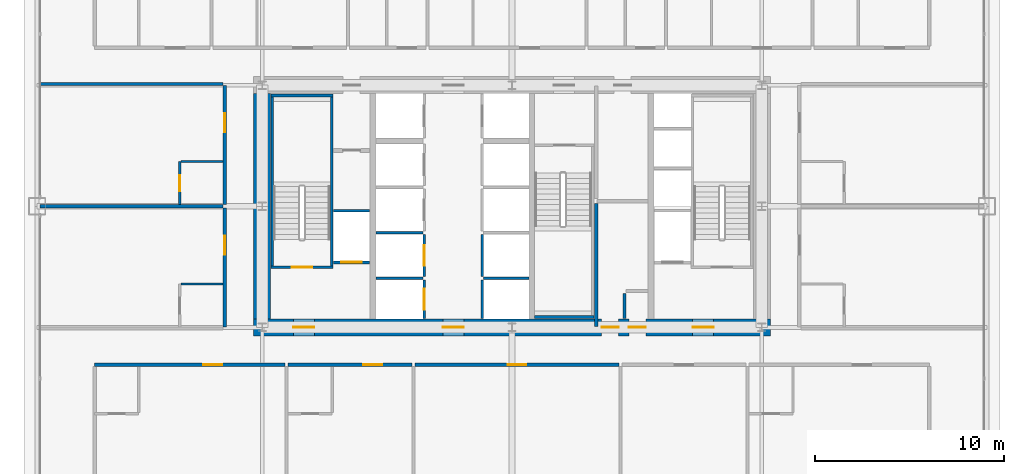
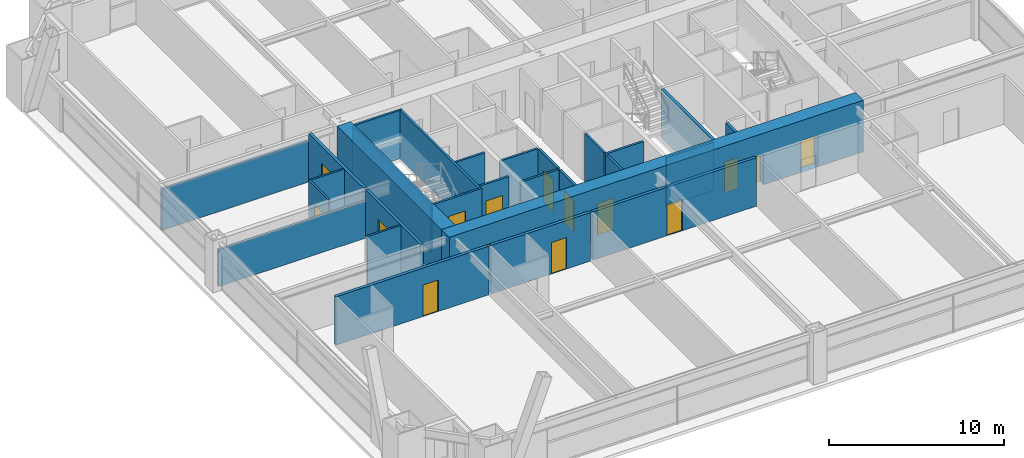
# One storey, part 39 of 43: 28 walls, 15 doors, 15 openings.
"""IFC4 building model written with IfcOpenShell, lengths in metres."""

from ifc_helpers import new_model, si_unit, direction, frame, frame_2d, origin, place, context, subcontext, project, spatial, rectangle, extrude, source, transform, mapped, material, layer, layer_set, type_object, element, fill, save


model = new_model("IFC4")

# Units and contexts
model_context = context("Model", 3, precision=1e-05, world=origin(), true_north=direction((0.0, 1.0)))
body_context = subcontext(model_context, "Body", "Model", "MODEL_VIEW")
ifc_project = project(units=[si_unit("LENGTHUNIT", "METRE"), si_unit("AREAUNIT", "SQUARE_METRE"), si_unit("VOLUMEUNIT", "CUBIC_METRE"), si_unit("PLANEANGLEUNIT", "RADIAN"), si_unit("MASSUNIT", "GRAM", prefix="KILO"), si_unit("THERMODYNAMICTEMPERATUREUNIT", "KELVIN"), si_unit("POWERUNIT", "WATT")], contexts=[model_context])

# Site, building, storey
site_placement = place(None, origin())
site = spatial("IfcSite", under=ifc_project, at=site_placement, CompositionType="ELEMENT")
building_placement = place(site_placement, origin())
building = spatial("IfcBuilding", under=site, at=building_placement, Name="Yuzanri Waterfront Tower", CompositionType="ELEMENT")
storey_placement = place(building_placement, frame((0.0, 0.0, 53.199951171875)))
storey = spatial("IfcBuildingStorey", under=building, at=storey_placement, Name="L13", CompositionType="ELEMENT", Elevation=53.199951171875)

# Wall, opening, door
ifc_material_1 = material(Name="Moisture-Resistant Gypsum Stud Wall", Category="gypsum")
ifc_layer_1 = layer(ifc_material_1, 0.1201171875)
ifc_layer_set_1 = layer_set([ifc_layer_1], Name="Moisture-Resistant Gypsum Stud Wall")
wall_type_1 = type_object("IfcWallType", Name="Bathroom and Kitchen Wet Partition 120", PredefinedType="PARTITIONING", material=ifc_layer_set_1)
wall_1_placement = place(storey_placement, frame((19.43994140625, 25.8798828125, 0.0), z_axis=(0.0, 0.0, 1.0), x_axis=(0.0, 1.0, 0.0)))
wall_1 = element("IfcWall", 1, at=wall_1_placement, inside=storey, type_object=wall_type_1, Name="L13 Partition UW-L13-W2-BW", PredefinedType="PARTITIONING", context=body_context, shape_type="SweptSolid", body=[
    extrude(rectangle(XDim=2.280029296875, YDim=0.1201171875, at=frame_2d((1.14013671875, 0.0))), origin(), (0.0, 0.0, 1.0), 3.380126953125),
])
opening_1_placement = place(wall_1_placement, frame((0.715087890625, 0.0, 0.0)))
opening_1 = element("IfcOpeningElement", 2, at=opening_1_placement, cuts=wall_1, Name="Opening ID-0850", PredefinedType="OPENING", context=body_context, shape_type="SweptSolid", body=[
    extrude(rectangle(XDim=0.85009765625, YDim=2.10009765625, at=frame_2d((0.425048828125, 1.050048828125))), frame((0.0, 0.074951171875, 0.0), z_axis=(0.0, -1.0, 0.0), x_axis=(1.0, 0.0, 0.0)), (0.0, 0.0, 1.0), 0.14990234375),
])
ifc_material_2 = material(Name="Moisture-Resistant Lacquered Timber", Category="wood")
door_type_1 = type_object("IfcDoorType", Name="En-Suite Bathroom and Kitchen Swing Door 850x2100", OperationType="NOTDEFINED", PredefinedType="DOOR", material=ifc_material_2)
shared_shape_1 = source(origin(), body_context, "Body", "SweptSolid", [
    extrude(rectangle(XDim=0.85009765625, YDim=2.10009765625, at=frame_2d((0.425048828125, 1.050048828125))), frame((0.0, 0.02490234375, 0.0), z_axis=(0.0, -1.0, 0.0), x_axis=(1.0, 0.0, 0.0)), (0.0, 0.0, 1.0), 0.050048828125),
])
door_1_placement = place(opening_1_placement, origin())
door_1 = element("IfcDoor", 3, at=door_1_placement, inside=storey, type_object=door_type_1, Name="L13 Guest En-Suite Door", OperationType="SINGLE_SWING_LEFT", OverallHeight=2.10009765625, OverallWidth=0.85009765625, PredefinedType="DOOR", context=body_context, shape_type="MappedRepresentation", body=[
    mapped(shared_shape_1, transform((0.0, 0.0, 0.0), scale=1.0)),
])
fill(opening_1, door_1)

# Wall, openings, doors
ifc_material_3 = material(Name="Concrete C60", Category="concrete")
ifc_layer_2 = layer(ifc_material_3, 0.89990234375)
ifc_layer_set_2 = layer_set([ifc_layer_2], Name="Concrete C60")
wall_type_2 = type_object("IfcWallType", Name="Concrete C60 Lower Zone Core Shear Wall 900", PredefinedType="SHEAR", material=ifc_layer_set_2)
wall_2_placement = place(storey_placement, frame((23.35009765625, 19.39990234375, 0.0), z_axis=(0.0, 0.0, 1.0), x_axis=(1.0, 0.0, 0.0)))
wall_2 = element("IfcWall", 4, at=wall_2_placement, inside=storey, type_object=wall_type_2, Name="L13 Core South Shear Wall", PredefinedType="SHEAR", context=body_context, shape_type="SweptSolid", body=[
    extrude(rectangle(XDim=27.2998046875, YDim=0.89990234375, at=frame_2d((13.64990234375, 0.0))), origin(), (0.0, 0.0, 1.0), 3.60009765625),
])
opening_2_placement = place(wall_2_placement, frame((2.10009765625, 0.0, 0.0)))
opening_2 = element("IfcOpeningElement", 5, at=opening_2_placement, cuts=wall_2, Name="Opening FD-1100", PredefinedType="OPENING", context=body_context, shape_type="SweptSolid", body=[
    extrude(rectangle(XDim=1.10009765625, YDim=2.199951171875, at=frame_2d((0.550048828125, 1.10009765625))), frame((0.0, 0.46484375, 0.0), z_axis=(0.0, -1.0, 0.0), x_axis=(1.0, 0.0, 0.0)), (0.0, 0.0, 1.0), 0.9296875),
])
opening_3_placement = place(wall_2_placement, frame((10.0, 0.0, 0.0)))
opening_3 = element("IfcOpeningElement", 6, at=opening_3_placement, cuts=wall_2, Name="Opening FD-1100", PredefinedType="OPENING", context=body_context, shape_type="SweptSolid", body=[
    extrude(rectangle(XDim=1.10009765625, YDim=2.199951171875, at=frame_2d((0.550048828125, 1.10009765625))), frame((0.0, 0.46484375, 0.0), z_axis=(0.0, -1.0, 0.0), x_axis=(1.0, 0.0, 0.0)), (0.0, 0.0, 1.0), 0.9296875),
])
opening_4_placement = place(wall_2_placement, frame((23.199951171875, 0.0, 0.0)))
opening_4 = element("IfcOpeningElement", 7, at=opening_4_placement, cuts=wall_2, Name="Opening FD-1100", PredefinedType="OPENING", context=body_context, shape_type="SweptSolid", body=[
    extrude(rectangle(XDim=1.10009765625, YDim=2.199951171875, at=frame_2d((0.550048828125, 1.10009765625))), frame((0.0, 0.46484375, 0.0), z_axis=(0.0, -1.0, 0.0), x_axis=(1.0, 0.0, 0.0)), (0.0, 0.0, 1.0), 0.9296875),
])
opening_5_placement = place(wall_2_placement, frame((19.820068359375, 0.0, 0.0)))
opening_5 = element("IfcOpeningElement", 8, at=opening_5_placement, cuts=wall_2, Name="Opening FD-0900", PredefinedType="OPENING", context=body_context, shape_type="SweptSolid", body=[
    extrude(rectangle(XDim=0.89990234375, YDim=2.14990234375, at=frame_2d((0.449951171875, 1.074951171875))), frame((0.0, 0.46484375, 0.0), z_axis=(0.0, -1.0, 0.0), x_axis=(1.0, 0.0, 0.0)), (0.0, 0.0, 1.0), 0.9296875),
])
opening_6_placement = place(wall_2_placement, frame((18.3798828125, 0.0, 0.0)))
opening_6 = element("IfcOpeningElement", 9, at=opening_6_placement, cuts=wall_2, Name="Opening FD-0900", PredefinedType="OPENING", context=body_context, shape_type="SweptSolid", body=[
    extrude(rectangle(XDim=0.89990234375, YDim=2.14990234375, at=frame_2d((0.449951171875, 1.074951171875))), frame((0.0, 0.46484375, 0.0), z_axis=(0.0, -1.0, 0.0), x_axis=(1.0, 0.0, 0.0)), (0.0, 0.0, 1.0), 0.9296875),
])
ifc_material_4 = material(Name="Painted Galvanized Fire Steel", Category="steel")
door_type_2 = type_object("IfcDoorType", Name="Smoke-Proof Stair and Lobby Fire Door 1100x2200", OperationType="NOTDEFINED", PredefinedType="DOOR", material=ifc_material_4)
shared_shape_2 = source(origin(), body_context, "Body", "SweptSolid", [
    extrude(rectangle(XDim=1.10009765625, YDim=2.199951171875, at=frame_2d((0.550048828125, 1.10009765625))), frame((0.0, 0.02490234375, 0.0), z_axis=(0.0, -1.0, 0.0), x_axis=(1.0, 0.0, 0.0)), (0.0, 0.0, 1.0), 0.050048828125),
])
door_2_placement = place(opening_2_placement, origin())
door_2 = element("IfcDoor", 10, at=door_2_placement, inside=storey, type_object=door_type_2, Name="L13 West Firefighting Lobby Door", OperationType="SINGLE_SWING_RIGHT", OverallHeight=2.199951171875, OverallWidth=1.10009765625, PredefinedType="DOOR", context=body_context, shape_type="MappedRepresentation", body=[
    mapped(shared_shape_2, transform((0.0, 0.0, 0.0), scale=1.0)),
])
fill(opening_2, door_2)
door_3_placement = place(opening_3_placement, origin())
door_3 = element("IfcDoor", 11, at=door_3_placement, inside=storey, type_object=door_type_2, Name="L13 Central Lift Lobby South Door", OperationType="SINGLE_SWING_LEFT", OverallHeight=2.199951171875, OverallWidth=1.10009765625, PredefinedType="DOOR", context=body_context, shape_type="MappedRepresentation", body=[
    mapped(shared_shape_2, transform((0.0, 0.0, 0.0), scale=1.0)),
])
fill(opening_3, door_3)
door_4_placement = place(opening_4_placement, origin())
door_4 = element("IfcDoor", 12, at=door_4_placement, inside=storey, type_object=door_type_2, Name="L13 East Firefighting Lobby Door", OperationType="SINGLE_SWING_RIGHT", OverallHeight=2.199951171875, OverallWidth=1.10009765625, PredefinedType="DOOR", context=body_context, shape_type="MappedRepresentation", body=[
    mapped(shared_shape_2, transform((0.0, 0.0, 0.0), scale=1.0)),
])
fill(opening_4, door_4)
ifc_material_5 = material(Name="Painted Galvanized Fire Steel", Category="steel")
door_type_3 = type_object("IfcDoorType", Name="Riser and Service Room Fire Door 900x2150", OperationType="NOTDEFINED", PredefinedType="DOOR", material=ifc_material_5)
shared_shape_3 = source(origin(), body_context, "Body", "SweptSolid", [
    extrude(rectangle(XDim=0.89990234375, YDim=2.14990234375, at=frame_2d((0.449951171875, 1.074951171875))), frame((0.0, 0.02490234375, 0.0), z_axis=(0.0, -1.0, 0.0), x_axis=(1.0, 0.0, 0.0)), (0.0, 0.0, 1.0), 0.050048828125),
])
door_5_placement = place(opening_5_placement, origin())
door_5 = element("IfcDoor", 13, at=door_5_placement, inside=storey, type_object=door_type_3, Name="L13 East Wet Riser Door", OperationType="SINGLE_SWING_LEFT", OverallHeight=2.14990234375, OverallWidth=0.89990234375, PredefinedType="DOOR", context=body_context, shape_type="MappedRepresentation", body=[
    mapped(shared_shape_3, transform((0.0, 0.0, 0.0), scale=1.0)),
])
fill(opening_5, door_5)
door_6_placement = place(opening_6_placement, origin())
door_6 = element("IfcDoor", 14, at=door_6_placement, inside=storey, type_object=door_type_3, Name="L13 Meter and Valve Store Room", OperationType="SINGLE_SWING_RIGHT", OverallHeight=2.14990234375, OverallWidth=0.89990234375, PredefinedType="DOOR", context=body_context, shape_type="MappedRepresentation", body=[
    mapped(shared_shape_3, transform((0.0, 0.0, 0.0), scale=1.0)),
])
fill(opening_6, door_6)

# Wall, opening, door
ifc_material_6 = material(Name="Concrete C40", Category="concrete")
ifc_layer_3 = layer(ifc_material_6, 0.139892578125)
ifc_layer_set_3 = layer_set([ifc_layer_3], Name="Concrete C40")
wall_type_3 = type_object("IfcWallType", Name="Core Stair Liner and Hoistway Shaft Wall 140", PredefinedType="SOLIDWALL", material=ifc_layer_set_3)
wall_3_placement = place(storey_placement, frame((27.56005859375, 22.830078125, 0.0), z_axis=(0.0, 0.0, 1.0), x_axis=(1.0, 0.0, 0.0)))
wall_3 = element("IfcWall", 15, at=wall_3_placement, inside=storey, type_object=wall_type_3, Name="L13 Lift FL-01 Front Shaft Wall", PredefinedType="SOLIDWALL", context=body_context, shape_type="SweptSolid", body=[
    extrude(rectangle(XDim=1.919921875, YDim=0.139892578125, at=frame_2d((0.9599609375, 0.0))), origin(), (0.0, 0.0, 1.0), 3.380126953125),
])
opening_7_placement = place(wall_3_placement, frame((0.409912109375, 0.0, 0.0)))
opening_7 = element("IfcOpeningElement", 16, at=opening_7_placement, cuts=wall_3, Name="Opening LD-FL-01", PredefinedType="OPENING", context=body_context, shape_type="SweptSolid", body=[
    extrude(rectangle(XDim=1.10009765625, YDim=2.199951171875, at=frame_2d((0.550048828125, 1.10009765625))), frame((0.0, 0.0849609375, 0.0), z_axis=(0.0, -1.0, 0.0), x_axis=(1.0, 0.0, 0.0)), (0.0, 0.0, 1.0), 0.169677734375),
])
ifc_material_7 = material(Name="Brushed Bronze and Stainless Steel Cab", Category="steel")
door_type_4 = type_object("IfcDoorType", Name="Center-Parting Bronze Lift Landing Sliding Door 1100x2200", OperationType="NOTDEFINED", PredefinedType="DOOR", material=ifc_material_7)
shared_shape_4 = source(origin(), body_context, "Body", "SweptSolid", [
    extrude(rectangle(XDim=1.10009765625, YDim=2.199951171875, at=frame_2d((0.550048828125, 1.10009765625))), frame((0.0, 0.02490234375, 0.0), z_axis=(0.0, -1.0, 0.0), x_axis=(1.0, 0.0, 0.0)), (0.0, 0.0, 1.0), 0.050048828125),
])
door_7_placement = place(opening_7_placement, origin())
door_7 = element("IfcDoor", 17, at=door_7_placement, inside=storey, type_object=door_type_4, Name="L13 FL-01 Lift Landing Sliding Door", OperationType="SLIDING_TO_LEFT", OverallHeight=2.199951171875, OverallWidth=1.10009765625, PredefinedType="DOOR", context=body_context, shape_type="MappedRepresentation", body=[
    mapped(shared_shape_4, transform((0.0, 0.0, 0.0), scale=1.0)),
])
fill(opening_7, door_7)

wall_4_placement = place(storey_placement, frame((32.3701171875, 19.860107421875, 0.0), z_axis=(0.0, 0.0, 1.0), x_axis=(0.0, 1.0, 0.0)))
wall_4 = element("IfcWall", 18, at=wall_4_placement, inside=storey, type_object=wall_type_3, Name="L13 Lift PL-01 Front Shaft Wall", PredefinedType="SOLIDWALL", context=body_context, shape_type="SweptSolid", body=[
    extrude(rectangle(XDim=2.039794921875, YDim=0.139892578125, at=frame_2d((1.02001953125, 0.0))), origin(), (0.0, 0.0, 1.0), 3.380126953125),
])
opening_8_placement = place(wall_4_placement, frame((0.469970703125, 0.0, 0.0)))
opening_8 = element("IfcOpeningElement", 19, at=opening_8_placement, cuts=wall_4, Name="Opening LD-PL-01", PredefinedType="OPENING", context=body_context, shape_type="SweptSolid", body=[
    extrude(rectangle(XDim=1.10009765625, YDim=2.199951171875, at=frame_2d((0.550048828125, 1.10009765625))), frame((0.0, 0.0849609375, 0.0), z_axis=(0.0, -1.0, 0.0), x_axis=(1.0, 0.0, 0.0)), (0.0, 0.0, 1.0), 0.169677734375),
])
door_8_placement = place(opening_8_placement, origin())
door_8 = element("IfcDoor", 20, at=door_8_placement, inside=storey, type_object=door_type_4, Name="L13 PL-01 Lift Landing Sliding Door", OperationType="SLIDING_TO_LEFT", OverallHeight=2.199951171875, OverallWidth=1.10009765625, PredefinedType="DOOR", context=body_context, shape_type="MappedRepresentation", body=[
    mapped(shared_shape_4, transform((0.0, 0.0, 0.0), scale=1.0)),
])
fill(opening_8, door_8)

wall_5_placement = place(storey_placement, frame((32.3701171875, 22.10009765625, 0.0), z_axis=(0.0, 0.0, 1.0), x_axis=(0.0, 1.0, 0.0)))
wall_5 = element("IfcWall", 21, at=wall_5_placement, inside=storey, type_object=wall_type_3, Name="L13 Lift PL-02 Front Shaft Wall", PredefinedType="SOLIDWALL", context=body_context, shape_type="SweptSolid", body=[
    extrude(rectangle(XDim=2.199951171875, YDim=0.139892578125, at=frame_2d((1.10009765625, 0.0))), origin(), (0.0, 0.0, 1.0), 3.380126953125),
])
opening_9_placement = place(wall_5_placement, frame((0.550048828125, 0.0, 0.0)))
opening_9 = element("IfcOpeningElement", 22, at=opening_9_placement, cuts=wall_5, Name="Opening LD-PL-02", PredefinedType="OPENING", context=body_context, shape_type="SweptSolid", body=[
    extrude(rectangle(XDim=1.10009765625, YDim=2.199951171875, at=frame_2d((0.550048828125, 1.10009765625))), frame((0.0, 0.0849609375, 0.0), z_axis=(0.0, -1.0, 0.0), x_axis=(1.0, 0.0, 0.0)), (0.0, 0.0, 1.0), 0.169677734375),
])
door_9_placement = place(opening_9_placement, origin())
door_9 = element("IfcDoor", 23, at=door_9_placement, inside=storey, type_object=door_type_4, Name="L13 PL-02 Lift Landing Sliding Door", OperationType="SLIDING_TO_RIGHT", OverallHeight=2.199951171875, OverallWidth=1.10009765625, PredefinedType="DOOR", context=body_context, shape_type="MappedRepresentation", body=[
    mapped(shared_shape_4, transform((0.0, 0.0, 0.0), scale=1.0)),
])
fill(opening_9, door_9)

wall_6_placement = place(storey_placement, frame((24.260009765625, 22.570068359375, 0.0), z_axis=(0.0, 0.0, 1.0), x_axis=(1.0, 0.0, 0.0)))
wall_6 = element("IfcWall", 24, at=wall_6_placement, inside=storey, type_object=wall_type_3, Name="L13 Shaft Wall STW-L13-ST-01-S", PredefinedType="SOLIDWALL", context=body_context, shape_type="SweptSolid", body=[
    extrude(rectangle(XDim=3.280029296875, YDim=0.139892578125, at=frame_2d((1.64013671875, 0.0))), origin(), (0.0, 0.0, 1.0), 3.380126953125),
])
opening_10_placement = place(wall_6_placement, frame((1.090087890625, 0.0, 0.0)))
opening_10 = element("IfcOpeningElement", 25, at=opening_10_placement, cuts=wall_6, Name="Opening FD-1100", PredefinedType="OPENING", context=body_context, shape_type="SweptSolid", body=[
    extrude(rectangle(XDim=1.10009765625, YDim=2.199951171875, at=frame_2d((0.550048828125, 1.10009765625))), frame((0.0, 0.0849609375, 0.0), z_axis=(0.0, -1.0, 0.0), x_axis=(1.0, 0.0, 0.0)), (0.0, 0.0, 1.0), 0.169677734375),
])
door_10_placement = place(opening_10_placement, origin())
door_10 = element("IfcDoor", 26, at=door_10_placement, inside=storey, type_object=door_type_2, Name="L13 Stair ST-01 Fire Door", OperationType="SINGLE_SWING_LEFT", OverallHeight=2.199951171875, OverallWidth=1.10009765625, PredefinedType="DOOR", context=body_context, shape_type="MappedRepresentation", body=[
    mapped(shared_shape_2, transform((0.0, 0.0, 0.0), scale=1.0)),
])
fill(opening_10, door_10)

ifc_material_8 = material(Name="Autoclaved Aerated Concrete Blockwork", Category="masonry")
ifc_layer_4 = layer(ifc_material_8, 0.199951171875)
ifc_layer_set_4 = layer_set([ifc_layer_4], Name="Autoclaved Aerated Concrete Blockwork")
wall_type_4 = type_object("IfcWallType", Name="Corridor and Unit Party Fire Wall 200", PredefinedType="PARTITIONING", material=ifc_layer_set_4)
wall_7_placement = place(storey_placement, frame((14.93994140625, 17.419921875, 0.0), z_axis=(0.0, 0.0, 1.0), x_axis=(1.0, 0.0, 0.0)))
wall_7 = element("IfcWall", 27, at=wall_7_placement, inside=storey, type_object=wall_type_4, Name="L13 Partition UW-L13-S1-CN", PredefinedType="PARTITIONING", context=body_context, shape_type="SweptSolid", body=[
    extrude(rectangle(XDim=10.068115234375, YDim=0.199951171875, at=frame_2d((5.0341796875, 0.0))), origin(), (0.0, 0.0, 1.0), 3.380126953125),
])
opening_11_placement = place(wall_7_placement, frame((5.739013671875, 0.0, 0.0)))
opening_11 = element("IfcOpeningElement", 28, at=opening_11_placement, cuts=wall_7, Name="Opening FD-1000", PredefinedType="OPENING", context=body_context, shape_type="SweptSolid", body=[
    extrude(rectangle(XDim=1.0, YDim=2.199951171875, at=frame_2d((0.5, 1.10009765625))), frame((0.0, 0.11474609375, 0.0), z_axis=(0.0, -1.0, 0.0), x_axis=(1.0, 0.0, 0.0)), (0.0, 0.0, 1.0), 0.229736328125),
])
ifc_material_9 = material(Name="Engineered Oak Fire-Rated Timber", Category="wood")
door_type_5 = type_object("IfcDoorType", Name="Guestroom and Apartment Entrance Fire Door 1000x2200", OperationType="NOTDEFINED", PredefinedType="DOOR", material=ifc_material_9)
shared_shape_5 = source(origin(), body_context, "Body", "SweptSolid", [
    extrude(rectangle(XDim=1.0, YDim=2.199951171875, at=frame_2d((0.5, 1.10009765625))), frame((0.0, 0.02490234375, 0.0), z_axis=(0.0, -1.0, 0.0), x_axis=(1.0, 0.0, 0.0)), (0.0, 0.0, 1.0), 0.050048828125),
])
door_11_placement = place(opening_11_placement, origin())
door_11 = element("IfcDoor", 29, at=door_11_placement, inside=storey, type_object=door_type_5, Name="L13 Corner Suite Entrance Door", OperationType="SINGLE_SWING_RIGHT", OverallHeight=2.199951171875, OverallWidth=1.0, PredefinedType="DOOR", context=body_context, shape_type="MappedRepresentation", body=[
    mapped(shared_shape_5, transform((0.0, 0.0, 0.0), scale=1.0)),
])
fill(opening_11, door_11)

wall_8_placement = place(storey_placement, frame((25.16796875, 17.419921875, 0.0), z_axis=(0.0, 0.0, 1.0), x_axis=(1.0, 0.0, 0.0)))
wall_8 = element("IfcWall", 30, at=wall_8_placement, inside=storey, type_object=wall_type_4, Name="L13 Partition UW-L13-S2-CN", PredefinedType="PARTITIONING", context=body_context, shape_type="SweptSolid", body=[
    extrude(rectangle(XDim=6.546142578125, YDim=0.199951171875, at=frame_2d((3.27294921875, 0.0))), origin(), (0.0, 0.0, 1.0), 3.380126953125),
])
opening_12_placement = place(wall_8_placement, frame((3.97802734375, 0.0, 0.0)))
opening_12 = element("IfcOpeningElement", 31, at=opening_12_placement, cuts=wall_8, Name="Opening FD-1000", PredefinedType="OPENING", context=body_context, shape_type="SweptSolid", body=[
    extrude(rectangle(XDim=1.0, YDim=2.199951171875, at=frame_2d((0.5, 1.10009765625))), frame((0.0, 0.11474609375, 0.0), z_axis=(0.0, -1.0, 0.0), x_axis=(1.0, 0.0, 0.0)), (0.0, 0.0, 1.0), 0.229736328125),
])
door_12_placement = place(opening_12_placement, origin())
door_12 = element("IfcDoor", 32, at=door_12_placement, inside=storey, type_object=door_type_5, Name="L13 Premier Junior Suite Entrance Door", OperationType="SINGLE_SWING_RIGHT", OverallHeight=2.199951171875, OverallWidth=1.0, PredefinedType="DOOR", context=body_context, shape_type="MappedRepresentation", body=[
    mapped(shared_shape_5, transform((0.0, 0.0, 0.0), scale=1.0)),
])
fill(opening_12, door_12)

wall_9_placement = place(storey_placement, frame((31.8740234375, 17.419921875, 0.0), z_axis=(0.0, 0.0, 1.0), x_axis=(1.0, 0.0, 0.0)))
wall_9 = element("IfcWall", 33, at=wall_9_placement, inside=storey, type_object=wall_type_4, Name="L13 Partition UW-L13-S3-CN", PredefinedType="PARTITIONING", context=body_context, shape_type="SweptSolid", body=[
    extrude(rectangle(XDim=10.781982421875, YDim=0.199951171875, at=frame_2d((5.39111328125, 0.0))), origin(), (0.0, 0.0, 1.0), 3.380126953125),
])
opening_13_placement = place(wall_9_placement, frame((4.89111328125, 0.0, 0.0)))
opening_13 = element("IfcOpeningElement", 34, at=opening_13_placement, cuts=wall_9, Name="Opening FD-1000", PredefinedType="OPENING", context=body_context, shape_type="SweptSolid", body=[
    extrude(rectangle(XDim=1.0, YDim=2.199951171875, at=frame_2d((0.5, 1.10009765625))), frame((0.0, 0.11474609375, 0.0), z_axis=(0.0, -1.0, 0.0), x_axis=(1.0, 0.0, 0.0)), (0.0, 0.0, 1.0), 0.229736328125),
])
door_13_placement = place(opening_13_placement, origin())
door_13 = element("IfcDoor", 35, at=door_13_placement, inside=storey, type_object=door_type_5, Name="L13 Boardroom Meeting Room Entrance Door", OperationType="SINGLE_SWING_RIGHT", OverallHeight=2.199951171875, OverallWidth=1.0, PredefinedType="DOOR", context=body_context, shape_type="MappedRepresentation", body=[
    mapped(shared_shape_5, transform((0.0, 0.0, 0.0), scale=1.0)),
])
fill(opening_13, door_13)

wall_10_placement = place(storey_placement, frame((21.820068359375, 19.409912109375, 0.0), z_axis=(0.0, 0.0, 1.0), x_axis=(0.0, 1.0, 0.0)))
wall_10 = element("IfcWall", 36, at=wall_10_placement, inside=storey, type_object=wall_type_4, Name="L13 Partition UW-L13-W1-CW", PredefinedType="PARTITIONING", context=body_context, shape_type="SweptSolid", body=[
    extrude(rectangle(XDim=6.31005859375, YDim=0.199951171875, at=frame_2d((3.155029296875, 0.0))), origin(), (0.0, 0.0, 1.0), 3.380126953125),
])
opening_14_placement = place(wall_10_placement, frame((3.8349609375, 0.0, 0.0)))
opening_14 = element("IfcOpeningElement", 37, at=opening_14_placement, cuts=wall_10, Name="Opening FD-1000", PredefinedType="OPENING", context=body_context, shape_type="SweptSolid", body=[
    extrude(rectangle(XDim=1.0, YDim=2.199951171875, at=frame_2d((0.5, 1.10009765625))), frame((0.0, 0.11474609375, 0.0), z_axis=(0.0, -1.0, 0.0), x_axis=(1.0, 0.0, 0.0)), (0.0, 0.0, 1.0), 0.229736328125),
])
door_14_placement = place(opening_14_placement, origin())
door_14 = element("IfcDoor", 38, at=door_14_placement, inside=storey, type_object=door_type_5, Name="L13 West Guest Room Entrance Door", OperationType="SINGLE_SWING_RIGHT", OverallHeight=2.199951171875, OverallWidth=1.0, PredefinedType="DOOR", context=body_context, shape_type="MappedRepresentation", body=[
    mapped(shared_shape_5, transform((0.0, 0.0, 0.0), scale=1.0)),
])
fill(opening_14, door_14)

wall_11_placement = place(storey_placement, frame((21.820068359375, 25.8798828125, 0.0), z_axis=(0.0, 0.0, 1.0), x_axis=(0.0, 1.0, 0.0)))
wall_11 = element("IfcWall", 39, at=wall_11_placement, inside=storey, type_object=wall_type_4, Name="L13 Partition UW-L13-W2-CW", PredefinedType="PARTITIONING", context=body_context, shape_type="SweptSolid", body=[
    extrude(rectangle(XDim=6.31005859375, YDim=0.199951171875, at=frame_2d((3.155029296875, 0.0))), origin(), (0.0, 0.0, 1.0), 3.380126953125),
])
opening_15_placement = place(wall_11_placement, frame((3.8349609375, 0.0, 0.0)))
opening_15 = element("IfcOpeningElement", 40, at=opening_15_placement, cuts=wall_11, Name="Opening FD-1000", PredefinedType="OPENING", context=body_context, shape_type="SweptSolid", body=[
    extrude(rectangle(XDim=1.0, YDim=2.199951171875, at=frame_2d((0.5, 1.10009765625))), frame((0.0, 0.11474609375, 0.0), z_axis=(0.0, -1.0, 0.0), x_axis=(1.0, 0.0, 0.0)), (0.0, 0.0, 1.0), 0.229736328125),
])
door_15_placement = place(opening_15_placement, origin())
door_15 = element("IfcDoor", 41, at=door_15_placement, inside=storey, type_object=door_type_5, Name="L13 West Guest Room Entrance Door", OperationType="SINGLE_SWING_RIGHT", OverallHeight=2.199951171875, OverallWidth=1.0, PredefinedType="DOOR", context=body_context, shape_type="MappedRepresentation", body=[
    mapped(shared_shape_5, transform((0.0, 0.0, 0.0), scale=1.0)),
])
fill(opening_15, door_15)

# Walls
shared_shape_6 = source(origin(), body_context, "Body", "SweptSolid", [
    extrude(rectangle(XDim=11.89990234375, YDim=0.89990234375, at=frame_2d((5.949951171875, 0.0))), origin(), (0.0, 0.0, 1.0), 3.60009765625),
])
wall_12_placement = place(storey_placement, frame((23.800048828125, 19.85009765625, 0.0), z_axis=(0.0, 0.0, 1.0), x_axis=(0.0, 1.0, 0.0)))
element("IfcWall", 42, at=wall_12_placement, inside=storey, type_object=wall_type_2, Name="L13 Core West Shear Wall", PredefinedType="SHEAR", context=body_context, shape_type="MappedRepresentation", body=[
    mapped(shared_shape_6, transform((0.0, 0.0, 0.0), scale=1.0)),
])
shared_shape_7 = source(origin(), body_context, "Body", "SweptSolid", [
    extrude(rectangle(XDim=1.919921875, YDim=0.139892578125, at=frame_2d((0.9599609375, 0.0))), origin(), (0.0, 0.0, 1.0), 3.380126953125),
])
wall_13_placement = place(storey_placement, frame((27.56005859375, 25.570068359375, 0.0), z_axis=(0.0, 0.0, 1.0), x_axis=(1.0, 0.0, 0.0)))
element("IfcWall", 43, at=wall_13_placement, inside=storey, type_object=wall_type_3, Name="L13 Lift FL-01 Back Shaft Wall", PredefinedType="SOLIDWALL", context=body_context, shape_type="MappedRepresentation", body=[
    mapped(shared_shape_7, transform((0.0, 0.0, 0.0), scale=1.0)),
])
shared_shape_8 = source(origin(), body_context, "Body", "SweptSolid", [
    extrude(rectangle(XDim=2.5, YDim=0.139892578125, at=frame_2d((1.25, 0.0))), origin(), (0.0, 0.0, 1.0), 3.380126953125),
])
for number, where, z_axis, x_axis, name in (
    (44, (29.800048828125, 22.0, 0.0), (0.0, 0.0, 1.0), (1.0, 0.0, 0.0), "L13 Lift PL-01 Divider Wall"),
    (45, (29.800048828125, 24.39990234375, 0.0), (0.0, 0.0, 1.0), (1.0, 0.0, 0.0), "L13 Lift PL-02 Divider Wall"),
):
    element("IfcWall", number, at=place(storey_placement, frame(where, z_axis=z_axis, x_axis=x_axis)), inside=storey, type_object=wall_type_3, Name=name, PredefinedType="SOLIDWALL", context=body_context, shape_type="MappedRepresentation", body=[
        mapped(shared_shape_8, transform((0.0, 0.0, 0.0), scale=1.0)),
    ])
shared_shape_9 = source(origin(), body_context, "Body", "SweptSolid", [
    extrude(rectangle(XDim=2.039794921875, YDim=0.139892578125, at=frame_2d((1.02001953125, 0.0))), origin(), (0.0, 0.0, 1.0), 3.380126953125),
])
wall_14_placement = place(storey_placement, frame((35.429931640625, 19.860107421875, 0.0), z_axis=(0.0, 0.0, 1.0), x_axis=(0.0, 1.0, 0.0)))
element("IfcWall", 46, at=wall_14_placement, inside=storey, type_object=wall_type_3, Name="L13 Lift PL-05 Front Shaft Wall", PredefinedType="SOLIDWALL", context=body_context, shape_type="MappedRepresentation", body=[
    mapped(shared_shape_9, transform((0.0, 0.0, 0.0), scale=1.0)),
])
shared_shape_10 = source(origin(), body_context, "Body", "SweptSolid", [
    extrude(rectangle(XDim=2.39990234375, YDim=0.139892578125, at=frame_2d((1.199951171875, 0.0))), origin(), (0.0, 0.0, 1.0), 3.380126953125),
])
wall_15_placement = place(storey_placement, frame((35.5, 22.0, 0.0), z_axis=(0.0, 0.0, 1.0), x_axis=(1.0, 0.0, 0.0)))
element("IfcWall", 47, at=wall_15_placement, inside=storey, type_object=wall_type_3, Name="L13 Lift PL-05 Divider Wall", PredefinedType="SOLIDWALL", context=body_context, shape_type="MappedRepresentation", body=[
    mapped(shared_shape_10, transform((0.0, 0.0, 0.0), scale=1.0)),
])
shared_shape_11 = source(origin(), body_context, "Body", "SweptSolid", [
    extrude(rectangle(XDim=2.199951171875, YDim=0.139892578125, at=frame_2d((1.10009765625, 0.0))), origin(), (0.0, 0.0, 1.0), 3.380126953125),
])
wall_16_placement = place(storey_placement, frame((35.429931640625, 22.10009765625, 0.0), z_axis=(0.0, 0.0, 1.0), x_axis=(0.0, 1.0, 0.0)))
element("IfcWall", 48, at=wall_16_placement, inside=storey, type_object=wall_type_3, Name="L13 Lift PL-06 Front Shaft Wall", PredefinedType="SOLIDWALL", context=body_context, shape_type="MappedRepresentation", body=[
    mapped(shared_shape_11, transform((0.0, 0.0, 0.0), scale=1.0)),
])
ifc_material_10 = material(Name="Gypsum Fireboard Acoustic Stud Wall", Category="gypsum")
ifc_layer_5 = layer(ifc_material_10, 0.159912109375)
ifc_layer_set_5 = layer_set([ifc_layer_5], Name="Gypsum Fireboard Acoustic Stud Wall")
wall_type_5 = type_object("IfcWallType", Name="Acoustic Suite Demising Partition 160", PredefinedType="PARTITIONING", material=ifc_layer_set_5)
shared_shape_12 = source(origin(), body_context, "Body", "SweptSolid", [
    extrude(rectangle(XDim=9.669921875, YDim=0.159912109375, at=frame_2d((4.8349609375, 0.0))), origin(), (0.0, 0.0, 1.0), 2.574951171875),
])
wall_17_placement = place(storey_placement, frame((12.050048828125, 25.800048828125, 0.0), z_axis=(0.0, 0.0, 1.0), x_axis=(1.0, 0.0, 0.0)))
element("IfcWall", 49, at=wall_17_placement, inside=storey, type_object=wall_type_5, Name="L13-W1 Wing Party Wall", PredefinedType="PARTITIONING", context=body_context, shape_type="MappedRepresentation", body=[
    mapped(shared_shape_12, transform((0.0, 0.0, 0.0), scale=1.0)),
])
shared_shape_13 = source(origin(), body_context, "Body", "SweptSolid", [
    extrude(rectangle(XDim=9.669921875, YDim=0.159912109375, at=frame_2d((4.8349609375, 0.0))), origin(), (0.0, 0.0, 1.0), 2.875),
])
wall_18_placement = place(storey_placement, frame((12.050048828125, 32.27001953125, 0.0), z_axis=(0.0, 0.0, 1.0), x_axis=(1.0, 0.0, 0.0)))
element("IfcWall", 50, at=wall_18_placement, inside=storey, type_object=wall_type_5, Name="L13-W2 Wing North End Wall", PredefinedType="PARTITIONING", context=body_context, shape_type="MappedRepresentation", body=[
    mapped(shared_shape_13, transform((0.0, 0.0, 0.0), scale=1.0)),
])
shared_shape_14 = source(origin(), body_context, "Body", "SweptSolid", [
    extrude(rectangle(XDim=3.280029296875, YDim=0.139892578125, at=frame_2d((1.64013671875, 0.0))), origin(), (0.0, 0.0, 1.0), 3.380126953125),
])
wall_19_placement = place(storey_placement, frame((24.260009765625, 31.64990234375, 0.0), z_axis=(0.0, 0.0, 1.0), x_axis=(1.0, 0.0, 0.0)))
element("IfcWall", 51, at=wall_19_placement, inside=storey, type_object=wall_type_3, Name="L13 Stair ST-01 North Shaft Wall", PredefinedType="SOLIDWALL", context=body_context, shape_type="MappedRepresentation", body=[
    mapped(shared_shape_14, transform((0.0, 0.0, 0.0), scale=1.0)),
])
shared_shape_15 = source(origin(), body_context, "Body", "SweptSolid", [
    extrude(rectangle(XDim=8.940185546875, YDim=0.139892578125, at=frame_2d((4.47021484375, 0.0))), origin(), (0.0, 0.0, 1.0), 3.380126953125),
])
for number, where, z_axis, x_axis, name in (
    (52, (24.330078125, 22.639892578125, 0.0), (0.0, 0.0, 1.0), (0.0, 1.0, 0.0), "L13 Stair ST-01 West Shaft Wall"),
    (53, (27.469970703125, 22.639892578125, 0.0), (0.0, 0.0, 1.0), (0.0, 1.0, 0.0), "L13 Stair ST-01 East Shaft Wall"),
):
    element("IfcWall", number, at=place(storey_placement, frame(where, z_axis=z_axis, x_axis=x_axis)), inside=storey, type_object=wall_type_3, Name=name, PredefinedType="SOLIDWALL", context=body_context, shape_type="MappedRepresentation", body=[
        mapped(shared_shape_15, transform((0.0, 0.0, 0.0), scale=1.0)),
    ])
shared_shape_16 = source(origin(), body_context, "Body", "SweptSolid", [
    extrude(rectangle(XDim=3.14013671875, YDim=0.139892578125, at=frame_2d((1.570068359375, 0.0))), origin(), (0.0, 0.0, 1.0), 3.380126953125),
])
wall_20_placement = place(storey_placement, frame((38.199951171875, 19.949951171875, 0.0), z_axis=(0.0, 0.0, 1.0), x_axis=(1.0, 0.0, 0.0)))
element("IfcWall", 54, at=wall_20_placement, inside=storey, type_object=wall_type_3, Name="L13 Stair ST-03 South Shaft Wall", PredefinedType="SOLIDWALL", context=body_context, shape_type="MappedRepresentation", body=[
    mapped(shared_shape_16, transform((0.0, 0.0, 0.0), scale=1.0)),
])
shared_shape_17 = source(origin(), body_context, "Body", "SweptSolid", [
    extrude(rectangle(XDim=1.33984375, YDim=0.159912109375, at=frame_2d((0.669921875, 0.0))), origin(), (0.0, 0.0, 1.0), 3.380126953125),
])
wall_21_placement = place(storey_placement, frame((42.949951171875, 19.860107421875, 0.0), z_axis=(0.0, 0.0, 1.0), x_axis=(0.0, 1.0, 0.0)))
element("IfcWall", 55, at=wall_21_placement, inside=storey, type_object=wall_type_5, Name="L13 East Wet Riser West Wall", PredefinedType="PARTITIONING", context=body_context, shape_type="MappedRepresentation", body=[
    mapped(shared_shape_17, transform((0.0, 0.0, 0.0), scale=1.0)),
])
shared_shape_18 = source(origin(), body_context, "Body", "SweptSolid", [
    extrude(rectangle(XDim=2.219970703125, YDim=0.1201171875, at=frame_2d((1.10986328125, 0.0))), origin(), (0.0, 0.0, 1.0), 3.380126953125),
])
for number, where, z_axis, x_axis, name in (
    (56, (19.5, 21.68994140625, 0.0), (0.0, 0.0, 1.0), (1.0, 0.0, 0.0), "L13-W1 En-Suite Top Wall"),
    (57, (19.5, 28.159912109375, 0.0), (0.0, 0.0, 1.0), (1.0, 0.0, 0.0), "L13-W2 En-Suite Top Wall"),
):
    element("IfcWall", number, at=place(storey_placement, frame(where, z_axis=z_axis, x_axis=x_axis)), inside=storey, type_object=wall_type_1, Name=name, PredefinedType="PARTITIONING", context=body_context, shape_type="MappedRepresentation", body=[
        mapped(shared_shape_18, transform((0.0, 0.0, 0.0), scale=1.0)),
    ])
shared_shape_19 = source(origin(), body_context, "Body", "SweptSolid", [
    extrude(rectangle(XDim=6.510009765625, YDim=0.199951171875, at=frame_2d((3.2548828125, 0.0))), origin(), (0.0, 0.0, 1.0), 3.380126953125),
])
wall_22_placement = place(storey_placement, frame((41.449951171875, 19.43994140625, 0.0), z_axis=(0.0, 0.0, 1.0), x_axis=(0.0, 1.0, 0.0)))
element("IfcWall", 58, at=wall_22_placement, inside=storey, type_object=wall_type_4, Name="L13 Core BOH West Wall 1", PredefinedType="PARTITIONING", context=body_context, shape_type="MappedRepresentation", body=[
    mapped(shared_shape_19, transform((0.0, 0.0, 0.0), scale=1.0)),
])

save(model, "model.ifc")
